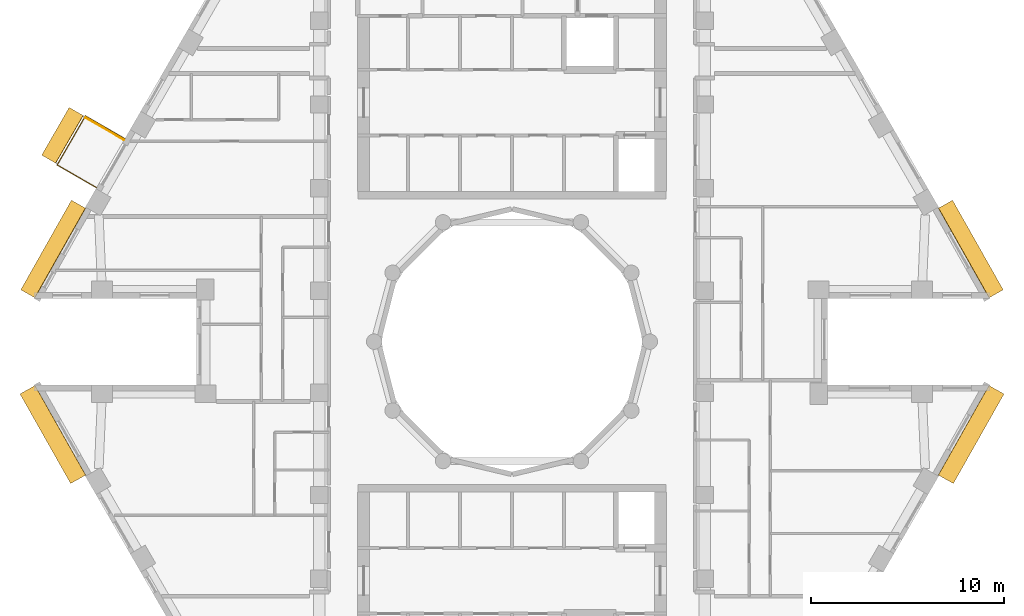
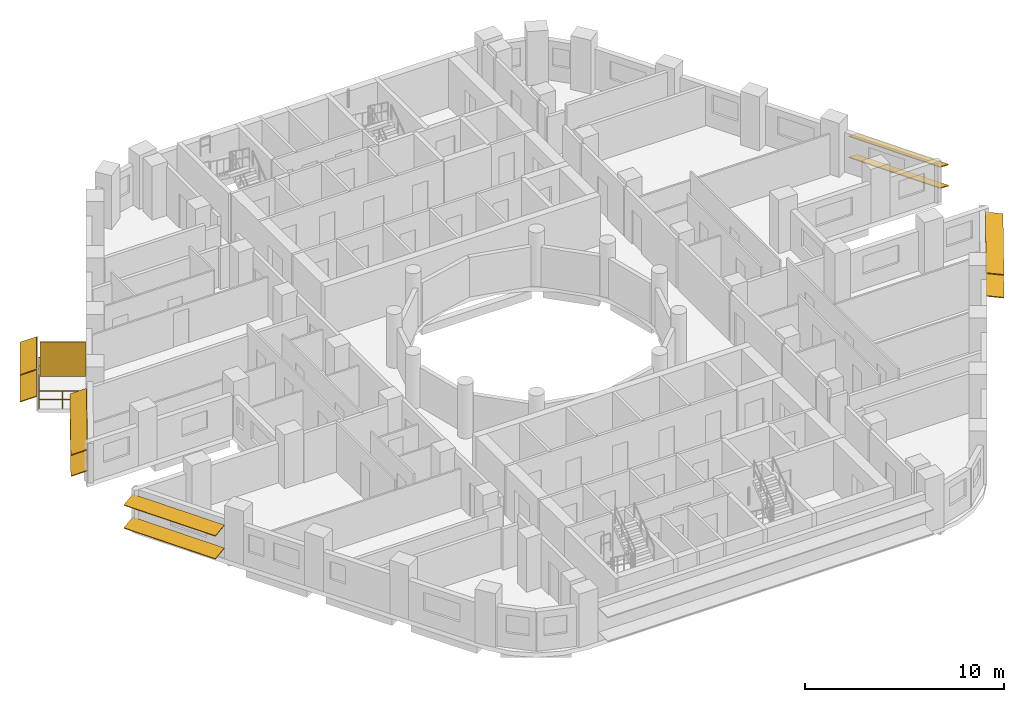
# One storey, part 12 of 13: 11 shading devices, 1 railing.
"""IFC4 building model written with IfcOpenShell, lengths in metres."""

from ifc_helpers import new_model, si_unit, direction, frame, origin, origin_2d, place, context, subcontext, project, spatial, rectangle, circle, extrude, material, layer, layer_set, material_profile, profile_set, type_object, element, save


model = new_model("IFC4")

# Units and contexts
model_context = context("Model", 3, precision=1e-05, world=origin(), true_north=direction((0.0, 1.0)))
body_context = subcontext(model_context, "Body", "Model", "MODEL_VIEW")
ifc_project = project(units=[si_unit("LENGTHUNIT", "METRE"), si_unit("AREAUNIT", "SQUARE_METRE"), si_unit("VOLUMEUNIT", "CUBIC_METRE"), si_unit("PLANEANGLEUNIT", "RADIAN"), si_unit("MASSUNIT", "GRAM", prefix="KILO")], contexts=[model_context])

# Site, building, storey
site_placement = place(None, origin())
site = spatial("IfcSite", under=ifc_project, at=site_placement, CompositionType="ELEMENT")
building_placement = place(site_placement, origin())
building = spatial("IfcBuilding", under=site, at=building_placement, Name="Nakaniwa Court", CompositionType="ELEMENT")
storey_placement = place(building_placement, frame((0.0, 0.0, 239.39990234375)))
storey = spatial("IfcBuildingStorey", under=building, at=storey_placement, Name="L62", CompositionType="ELEMENT", Elevation=239.39990234375)

# Railing
ifc_material_1 = material(Name="Black powder-coated steel flat bar balustrade S275", Category="steel")
railing_type = type_object("IfcRailingType", Name="Black metal balcony guard 1100", PredefinedType="GUARDRAIL", material=ifc_material_1)
railing_placement = place(storey_placement, frame((59.9228515625, 90.525390625, -0.0498046875)))
element("IfcRailing", 1, at=railing_placement, inside=storey, type_object=railing_type, Name="L62 balcony guard 01", PredefinedType="GUARDRAIL", context=body_context, shape_type="SweptSolid", body=[
    extrude(circle(Radius=0.02392578125, at=origin_2d()), frame((0.0, 0.0, 1.076171875), z_axis=(-0.866051224006, 0.499955275397, 0.0), x_axis=(-0.499955275397, -0.866051224006, 0.0)), (0.0, 0.0, 1.0), 2.360107421875),
    extrude(circle(Radius=0.02392578125, at=origin_2d()), frame((0.0, 0.0, 0.550048828125), z_axis=(-0.866051224006, 0.499955275397, 0.0), x_axis=(-0.499955275397, -0.866051224006, 0.0)), (0.0, 0.0, 1.0), 2.360107421875),
    extrude(circle(Radius=0.02392578125, at=origin_2d()), frame((-2.0439453125, 1.179931640625, 1.076171875), z_axis=(-0.499953038101, -0.866052515552, 0.0), x_axis=(0.866052515552, -0.499953038101, 0.0)), (0.0, 0.0, 1.0), 2.932861328125),
    extrude(circle(Radius=0.02392578125, at=origin_2d()), frame((-2.0439453125, 1.179931640625, 0.550048828125), z_axis=(-0.499953038101, -0.866052515552, 0.0), x_axis=(0.866052515552, -0.499953038101, 0.0)), (0.0, 0.0, 1.0), 2.932861328125),
    extrude(circle(Radius=0.02392578125, at=origin_2d()), frame((-3.51025390625, -1.360107421875, 1.076171875), z_axis=(0.866025363618, -0.50000006957, 0.0), x_axis=(0.50000006957, 0.866025363618, 0.0)), (0.0, 0.0, 1.0), 2.35986328125),
    extrude(circle(Radius=0.02392578125, at=origin_2d()), frame((-3.51025390625, -1.360107421875, 0.550048828125), z_axis=(0.866025363618, -0.50000006957, 0.0), x_axis=(0.50000006957, 0.866025363618, 0.0)), (0.0, 0.0, 1.0), 2.35986328125),
    extrude(circle(Radius=0.02099609375, at=origin_2d()), origin(), (0.0, 0.0, 1.0), 1.052001953125),
    extrude(circle(Radius=0.02099609375, at=origin_2d()), frame((-1.02197265625, 0.58984375, 0.0)), (0.0, 0.0, 1.0), 1.052001953125),
    extrude(circle(Radius=0.02099609375, at=origin_2d()), frame((-2.0439453125, 1.179931640625, 0.0)), (0.0, 0.0, 1.0), 1.052001953125),
    extrude(circle(Radius=0.02099609375, at=origin_2d()), frame((-2.53271484375, 0.333251953125, 0.0)), (0.0, 0.0, 1.0), 1.052001953125),
    extrude(circle(Radius=0.02099609375, at=origin_2d()), frame((-3.021484375, -0.513427734375, 0.0)), (0.0, 0.0, 1.0), 1.052001953125),
    extrude(circle(Radius=0.02099609375, at=origin_2d()), frame((-3.51025390625, -1.360107421875, 0.0)), (0.0, 0.0, 1.0), 1.052001953125),
    extrude(circle(Radius=0.02099609375, at=origin_2d()), frame((-2.48828125, -1.9501953125, 0.0)), (0.0, 0.0, 1.0), 1.052001953125),
    extrude(circle(Radius=0.02099609375, at=origin_2d()), frame((-1.466552734375, -2.5400390625, 0.0)), (0.0, 0.0, 1.0), 1.052001953125),
])

# Shading devices
ifc_material_2 = material(Name="Black powder-coated aluminium slat screen", Category="aluminium")
ifc_layer = layer(ifc_material_2, 0.0400390625)
ifc_layer_set = layer_set([ifc_layer], Name="Black powder-coated aluminium slat screen")
shading_device_type_1 = type_object("IfcShadingDeviceType", Name="Koshi screen black metal", PredefinedType="USERDEFINED", material=ifc_layer_set)
shading_device_placement = place(storey_placement, frame((58.882568359375, 91.033447265625, -0.050048828125), z_axis=(0.0, 0.0, 1.0), x_axis=(-0.499986396443, -0.866033257659, 0.0)))
element("IfcShadingDevice", 2, at=shading_device_placement, inside=storey, type_object=shading_device_type_1, Name="L62 balcony SCREEN 01 W", ObjectType="KOSHI SCREEN", PredefinedType="USERDEFINED", context=body_context, shape_type="SweptSolid", body=[
    extrude(rectangle(XDim=0.0400390625, YDim=2.31005859375, at=origin_2d()), origin(), (0.0, 0.0, 1.0), 2.10009765625),
])
ifc_material_3 = material(Name="Perforated charcoal ceramic louvre blade")
ifc_material_profile = material_profile(ifc_material_3, rectangle(XDim=0.89990234375, YDim=0.050048828125, at=origin_2d()), Name="Perforated ceramic louvre blade")
ifc_profile_set = profile_set([ifc_material_profile], Name="Perforated charcoal ceramic louvre blade")
shading_device_type_2 = type_object("IfcShadingDeviceType", Name="Perforated ceramic louvre blade", PredefinedType="JALOUSIE", material=ifc_profile_set)
for number, where, z_axis, x_axis, name in (
    (3, (57.404052734375, 91.933349609375, 0.5), (-0.499949632511, -0.866054481515, 0.0), (0.800130009511, -0.461893232763, 0.382683432365), "L62 perforated ceramic louvre blade 01 1"),
    (4, (57.404052734375, 91.933349609375, 2.150146484375), (-0.499949632511, -0.866054481515, 0.0), (0.800130009511, -0.461893232763, 0.382683432365), "L62 perforated ceramic louvre blade 01 2"),
):
    element("IfcShadingDevice", number, at=place(storey_placement, frame(where, z_axis=z_axis, x_axis=x_axis)), inside=storey, type_object=shading_device_type_2, Name=name, PredefinedType="JALOUSIE", context=body_context, shape_type="SweptSolid", body=[
        extrude(rectangle(XDim=0.89990234375, YDim=0.050048828125, at=origin_2d()), origin(), (0.0, 0.0, 1.0), 2.852783203125),
    ])
for number, where, z_axis, x_axis, name in (
    (5, (105.103759765625, 82.480224609375, 0.550048828125), (-0.492088911474, 0.870544946114, 0.0), (-0.804858877011, -0.454958851288, 0.38107037635), "L62 perforated ceramic louvre blade w02 1"),
    (6, (105.103759765625, 82.480224609375, 1.845458984375), (-0.492088911474, 0.870544946114, 0.0), (-0.804858877011, -0.454958851288, 0.38107037635), "L62 perforated ceramic louvre blade w02 2"),
    (7, (57.5224609375, 87.126220703125, 0.550048828125), (-0.492088911474, -0.870544946114, 0.0), (0.804858877011, -0.454958851288, 0.38107037635), "L62 perforated ceramic louvre blade w14 1"),
    (8, (57.5224609375, 87.126220703125, 1.845458984375), (-0.492088911474, -0.870544946114, 0.0), (0.804858877011, -0.454958851288, 0.38107037635), "L62 perforated ceramic louvre blade w14 2"),
):
    element("IfcShadingDevice", number, at=place(storey_placement, frame(where, z_axis=z_axis, x_axis=x_axis)), inside=storey, type_object=shading_device_type_2, Name=name, PredefinedType="JALOUSIE", context=body_context, shape_type="SweptSolid", body=[
        extrude(rectangle(XDim=0.89990234375, YDim=0.050048828125, at=origin_2d()), origin(), (0.0, 0.0, 1.0), 5.3369140625),
    ])
for number, where, z_axis, x_axis, name in (
    (9, (54.87548828125, 77.508056640625, 0.550048828125), (0.492108509021, -0.870533868008, 0.0), (0.862886698285, 0.487785601632, 0.132256390257), "L62 perforated ceramic louvre blade w20 1"),
    (10, (54.87548828125, 77.508056640625, 1.955810546875), (0.492108509021, -0.870533868008, 0.0), (0.862886698285, 0.487785601632, 0.132256390257), "L62 perforated ceramic louvre blade w20 2"),
    (11, (102.498291015625, 72.8623046875, 0.550048828125), (0.492108509021, 0.870533868008, 0.0), (-0.862886698285, 0.487785601632, 0.132256390257), "L62 perforated ceramic louvre blade w32 1"),
    (12, (102.498291015625, 72.8623046875, 1.955810546875), (0.492108509021, 0.870533868008, 0.0), (-0.862886698285, 0.487785601632, 0.132256390257), "L62 perforated ceramic louvre blade w32 2"),
):
    element("IfcShadingDevice", number, at=place(storey_placement, frame(where, z_axis=z_axis, x_axis=x_axis)), inside=storey, type_object=shading_device_type_2, Name=name, PredefinedType="JALOUSIE", context=body_context, shape_type="SweptSolid", body=[
        extrude(rectangle(XDim=0.89990234375, YDim=0.050048828125, at=origin_2d()), origin(), (0.0, 0.0, 1.0), 5.336669921875),
    ])

save(model, "model.ifc")
